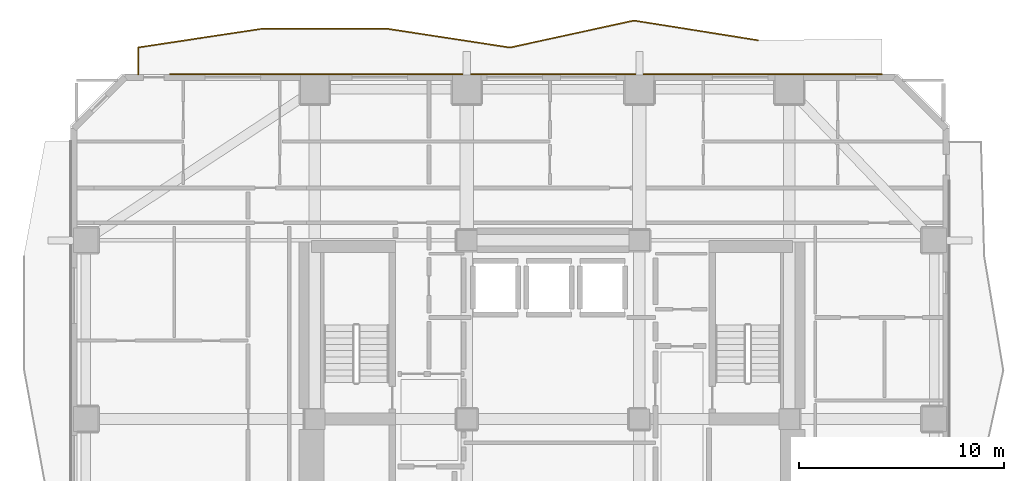
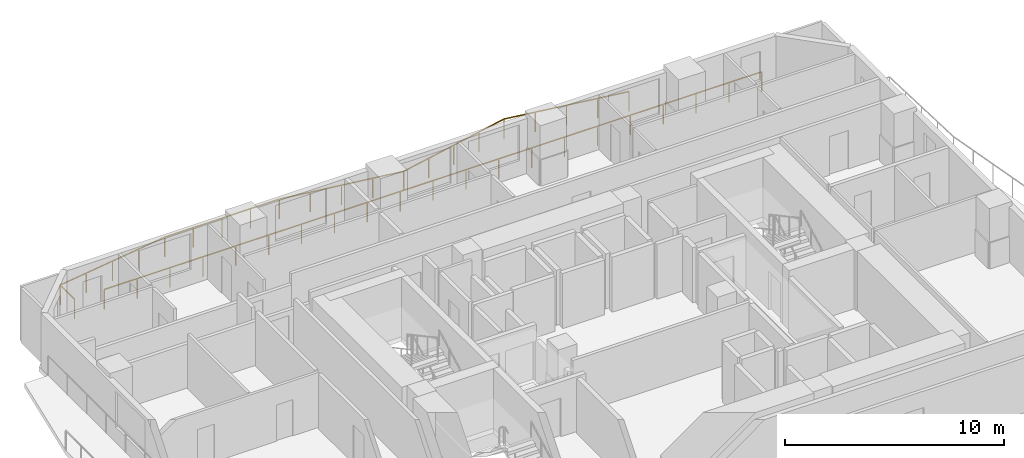
# One storey, part 11 of 11: 2 railings.
"""IFC4 building model written with IfcOpenShell, lengths in metres."""

from ifc_helpers import new_model, si_unit, direction, frame, origin, origin_2d, place, context, subcontext, project, spatial, rectangle, extrude, material, type_object, element, save


model = new_model("IFC4")

# Units and contexts
model_context = context("Model", 3, precision=1e-05, world=origin(), true_north=direction((0.0, 1.0)))
body_context = subcontext(model_context, "Body", "Model", "MODEL_VIEW")
ifc_project = project(units=[si_unit("LENGTHUNIT", "METRE"), si_unit("AREAUNIT", "SQUARE_METRE"), si_unit("VOLUMEUNIT", "CUBIC_METRE"), si_unit("PLANEANGLEUNIT", "RADIAN"), si_unit("MASSUNIT", "GRAM", prefix="KILO")], contexts=[model_context])

# Site, building, storey
site_placement = place(None, origin())
site = spatial("IfcSite", under=ifc_project, at=site_placement, CompositionType="ELEMENT")
building_placement = place(site_placement, origin())
building = spatial("IfcBuilding", under=site, at=building_placement, Name="Solanera Arch Residences", CompositionType="ELEMENT")
storey_placement = place(building_placement, frame((0.0, 0.0, 28.639892578125)))
storey = spatial("IfcBuildingStorey", under=building, at=storey_placement, Name="L07", CompositionType="ELEMENT", Elevation=28.639892578125)

# Railings
ifc_material = material(Name="Steel S355 (ASTM A992 / A572 Grade 50)", Category="steel")
railing_type = type_object("IfcRailingType", Name="Balustrade Railing BL-1100", PredefinedType="BALUSTRADE", material=ifc_material)
railing_1_placement = place(storey_placement, frame((34.967041015625, 49.14306640625, 0.0)))
element("IfcRailing", 1, at=railing_1_placement, inside=storey, type_object=railing_type, Name="L07 N Balcony Balustrade 1", PredefinedType="BALUSTRADE", context=body_context, shape_type="SweptSolid", body=[
    extrude(rectangle(XDim=0.048095703125, YDim=0.048095703125, at=origin_2d()), frame((0.0, 0.0, 1.09619140625), z_axis=(-0.987579883594, 0.157117705939, 0.0), x_axis=(-0.157117705939, -0.987579883594, 0.0)), (0.0, 0.0, 1.0), 6.10986328125),
    extrude(rectangle(XDim=0.048095703125, YDim=0.048095703125, at=origin_2d()), frame((-6.033935546875, 0.9599609375, 1.09619140625), z_axis=(-0.977062749054, -0.212951601101, 0.0), x_axis=(0.212951601101, -0.977062749054, 0.0)), (0.0, 0.0, 1.0), 6.1748046875),
    extrude(rectangle(XDim=0.048095703125, YDim=0.048095703125, at=origin_2d()), frame((-12.067138671875, -0.35498046875, 1.09619140625), z_axis=(-0.988477818303, 0.151365791124, 0.0), x_axis=(-0.151365791124, -0.988477818303, 0.0)), (0.0, 0.0, 1.0), 6.103271484375),
    extrude(rectangle(XDim=0.048095703125, YDim=0.048095703125, at=origin_2d()), frame((-18.10009765625, 0.56884765625, 1.09619140625), z_axis=(-0.999998879398, -0.001497064881, 0.0), x_axis=(0.001497064881, -0.999998879398, 0.0)), (0.0, 0.0, 1.0), 6.033935546875),
    extrude(rectangle(XDim=0.048095703125, YDim=0.048095703125, at=origin_2d()), frame((-24.134033203125, 0.559814453125, 1.09619140625), z_axis=(-0.988769318188, -0.149449775543, 0.0), x_axis=(0.149449775543, -0.988769318188, 0.0)), (0.0, 0.0, 1.0), 6.1015625),
    extrude(rectangle(XDim=0.048095703125, YDim=0.048095703125, at=origin_2d()), frame((-30.1669921875, -0.35205078125, 1.09619140625), z_axis=(0.0, -1.0, 0.0), x_axis=(1.0, 0.0, 0.0)), (0.0, 0.0, 1.0), 1.31103515625),
    extrude(rectangle(XDim=0.0419921875, YDim=0.0419921875, at=origin_2d()), origin(), (0.0, 0.0, 1.0), 1.072021484375),
    extrude(rectangle(XDim=0.0419921875, YDim=0.0419921875, at=origin_2d()), frame((-1.508544921875, 0.239990234375, 0.0)), (0.0, 0.0, 1.0), 1.072021484375),
    extrude(rectangle(XDim=0.0419921875, YDim=0.0419921875, at=origin_2d()), frame((-3.01708984375, 0.47998046875, 0.0)), (0.0, 0.0, 1.0), 1.072021484375),
    extrude(rectangle(XDim=0.0419921875, YDim=0.0419921875, at=origin_2d()), frame((-4.525390625, 0.719970703125, 0.0)), (0.0, 0.0, 1.0), 1.072021484375),
    extrude(rectangle(XDim=0.0419921875, YDim=0.0419921875, at=origin_2d()), frame((-6.033935546875, 0.9599609375, 0.0)), (0.0, 0.0, 1.0), 1.072021484375),
    extrude(rectangle(XDim=0.0419921875, YDim=0.0419921875, at=origin_2d()), frame((-7.542236328125, 0.63134765625, 0.0)), (0.0, 0.0, 1.0), 1.072021484375),
    extrude(rectangle(XDim=0.0419921875, YDim=0.0419921875, at=origin_2d()), frame((-9.050537109375, 0.302490234375, 0.0)), (0.0, 0.0, 1.0), 1.072021484375),
    extrude(rectangle(XDim=0.0419921875, YDim=0.0419921875, at=origin_2d()), frame((-10.558837890625, -0.0263671875, 0.0)), (0.0, 0.0, 1.0), 1.072021484375),
    extrude(rectangle(XDim=0.0419921875, YDim=0.0419921875, at=origin_2d()), frame((-12.067138671875, -0.35498046875, 0.0)), (0.0, 0.0, 1.0), 1.072021484375),
    extrude(rectangle(XDim=0.0419921875, YDim=0.0419921875, at=origin_2d()), frame((-13.575439453125, -0.1240234375, 0.0)), (0.0, 0.0, 1.0), 1.072021484375),
    extrude(rectangle(XDim=0.0419921875, YDim=0.0419921875, at=origin_2d()), frame((-15.08349609375, 0.10693359375, 0.0)), (0.0, 0.0, 1.0), 1.072021484375),
    extrude(rectangle(XDim=0.0419921875, YDim=0.0419921875, at=origin_2d()), frame((-16.591796875, 0.337890625, 0.0)), (0.0, 0.0, 1.0), 1.072021484375),
    extrude(rectangle(XDim=0.0419921875, YDim=0.0419921875, at=origin_2d()), frame((-18.10009765625, 0.56884765625, 0.0)), (0.0, 0.0, 1.0), 1.072021484375),
    extrude(rectangle(XDim=0.0419921875, YDim=0.0419921875, at=origin_2d()), frame((-19.608642578125, 0.566650390625, 0.0)), (0.0, 0.0, 1.0), 1.072021484375),
    extrude(rectangle(XDim=0.0419921875, YDim=0.0419921875, at=origin_2d()), frame((-21.1171875, 0.564453125, 0.0)), (0.0, 0.0, 1.0), 1.072021484375),
    extrude(rectangle(XDim=0.0419921875, YDim=0.0419921875, at=origin_2d()), frame((-22.62548828125, 0.56201171875, 0.0)), (0.0, 0.0, 1.0), 1.072021484375),
    extrude(rectangle(XDim=0.0419921875, YDim=0.0419921875, at=origin_2d()), frame((-24.134033203125, 0.559814453125, 0.0)), (0.0, 0.0, 1.0), 1.072021484375),
    extrude(rectangle(XDim=0.0419921875, YDim=0.0419921875, at=origin_2d()), frame((-25.642333984375, 0.331787109375, 0.0)), (0.0, 0.0, 1.0), 1.072021484375),
    extrude(rectangle(XDim=0.0419921875, YDim=0.0419921875, at=origin_2d()), frame((-27.150390625, 0.10400390625, 0.0)), (0.0, 0.0, 1.0), 1.072021484375),
    extrude(rectangle(XDim=0.0419921875, YDim=0.0419921875, at=origin_2d()), frame((-28.65869140625, -0.1240234375, 0.0)), (0.0, 0.0, 1.0), 1.072021484375),
    extrude(rectangle(XDim=0.0419921875, YDim=0.0419921875, at=origin_2d()), frame((-30.1669921875, -0.35205078125, 0.0)), (0.0, 0.0, 1.0), 1.072021484375),
    extrude(rectangle(XDim=0.0419921875, YDim=0.0419921875, at=origin_2d()), frame((-30.1669921875, -1.6630859375, 0.0)), (0.0, 0.0, 1.0), 1.072021484375),
])
railing_2_placement = place(storey_placement, frame((6.365966796875, 47.47998046875, 0.0)))
element("IfcRailing", 2, at=railing_2_placement, inside=storey, type_object=railing_type, Name="L07 N Balcony Balustrade 2", PredefinedType="BALUSTRADE", context=body_context, shape_type="SweptSolid", body=[
    extrude(rectangle(XDim=0.048095703125, YDim=0.048095703125, at=origin_2d()), frame((0.0, 0.0, 1.09619140625), z_axis=(1.0, 0.0, 0.0), x_axis=(0.0, 1.0, 0.0)), (0.0, 0.0, 1.0), 34.634033203125),
    extrude(rectangle(XDim=0.0419921875, YDim=0.0419921875, at=origin_2d()), origin(), (0.0, 0.0, 1.0), 1.072021484375),
    extrude(rectangle(XDim=0.0419921875, YDim=0.0419921875, at=origin_2d()), frame((1.731689453125, 0.0, 0.0)), (0.0, 0.0, 1.0), 1.072021484375),
    extrude(rectangle(XDim=0.0419921875, YDim=0.0419921875, at=origin_2d()), frame((3.46337890625, 0.0, 0.0)), (0.0, 0.0, 1.0), 1.072021484375),
    extrude(rectangle(XDim=0.0419921875, YDim=0.0419921875, at=origin_2d()), frame((5.195068359375, 0.0, 0.0)), (0.0, 0.0, 1.0), 1.072021484375),
    extrude(rectangle(XDim=0.0419921875, YDim=0.0419921875, at=origin_2d()), frame((6.9267578125, 0.0, 0.0)), (0.0, 0.0, 1.0), 1.072021484375),
    extrude(rectangle(XDim=0.0419921875, YDim=0.0419921875, at=origin_2d()), frame((8.658447265625, 0.0, 0.0)), (0.0, 0.0, 1.0), 1.072021484375),
    extrude(rectangle(XDim=0.0419921875, YDim=0.0419921875, at=origin_2d()), frame((10.39013671875, 0.0, 0.0)), (0.0, 0.0, 1.0), 1.072021484375),
    extrude(rectangle(XDim=0.0419921875, YDim=0.0419921875, at=origin_2d()), frame((12.121826171875, 0.0, 0.0)), (0.0, 0.0, 1.0), 1.072021484375),
    extrude(rectangle(XDim=0.0419921875, YDim=0.0419921875, at=origin_2d()), frame((13.853515625, 0.0, 0.0)), (0.0, 0.0, 1.0), 1.072021484375),
    extrude(rectangle(XDim=0.0419921875, YDim=0.0419921875, at=origin_2d()), frame((15.585205078125, 0.0, 0.0)), (0.0, 0.0, 1.0), 1.072021484375),
    extrude(rectangle(XDim=0.0419921875, YDim=0.0419921875, at=origin_2d()), frame((17.31689453125, 0.0, 0.0)), (0.0, 0.0, 1.0), 1.072021484375),
    extrude(rectangle(XDim=0.0419921875, YDim=0.0419921875, at=origin_2d()), frame((19.048828125, 0.0, 0.0)), (0.0, 0.0, 1.0), 1.072021484375),
    extrude(rectangle(XDim=0.0419921875, YDim=0.0419921875, at=origin_2d()), frame((20.780517578125, 0.0, 0.0)), (0.0, 0.0, 1.0), 1.072021484375),
    extrude(rectangle(XDim=0.0419921875, YDim=0.0419921875, at=origin_2d()), frame((22.51220703125, 0.0, 0.0)), (0.0, 0.0, 1.0), 1.072021484375),
    extrude(rectangle(XDim=0.0419921875, YDim=0.0419921875, at=origin_2d()), frame((24.243896484375, 0.0, 0.0)), (0.0, 0.0, 1.0), 1.072021484375),
    extrude(rectangle(XDim=0.0419921875, YDim=0.0419921875, at=origin_2d()), frame((25.9755859375, 0.0, 0.0)), (0.0, 0.0, 1.0), 1.072021484375),
    extrude(rectangle(XDim=0.0419921875, YDim=0.0419921875, at=origin_2d()), frame((27.707275390625, 0.0, 0.0)), (0.0, 0.0, 1.0), 1.072021484375),
    extrude(rectangle(XDim=0.0419921875, YDim=0.0419921875, at=origin_2d()), frame((29.43896484375, 0.0, 0.0)), (0.0, 0.0, 1.0), 1.072021484375),
    extrude(rectangle(XDim=0.0419921875, YDim=0.0419921875, at=origin_2d()), frame((31.170654296875, 0.0, 0.0)), (0.0, 0.0, 1.0), 1.072021484375),
    extrude(rectangle(XDim=0.0419921875, YDim=0.0419921875, at=origin_2d()), frame((32.90234375, 0.0, 0.0)), (0.0, 0.0, 1.0), 1.072021484375),
    extrude(rectangle(XDim=0.0419921875, YDim=0.0419921875, at=origin_2d()), frame((34.634033203125, 0.0, 0.0)), (0.0, 0.0, 1.0), 1.072021484375),
])

save(model, "model.ifc")
